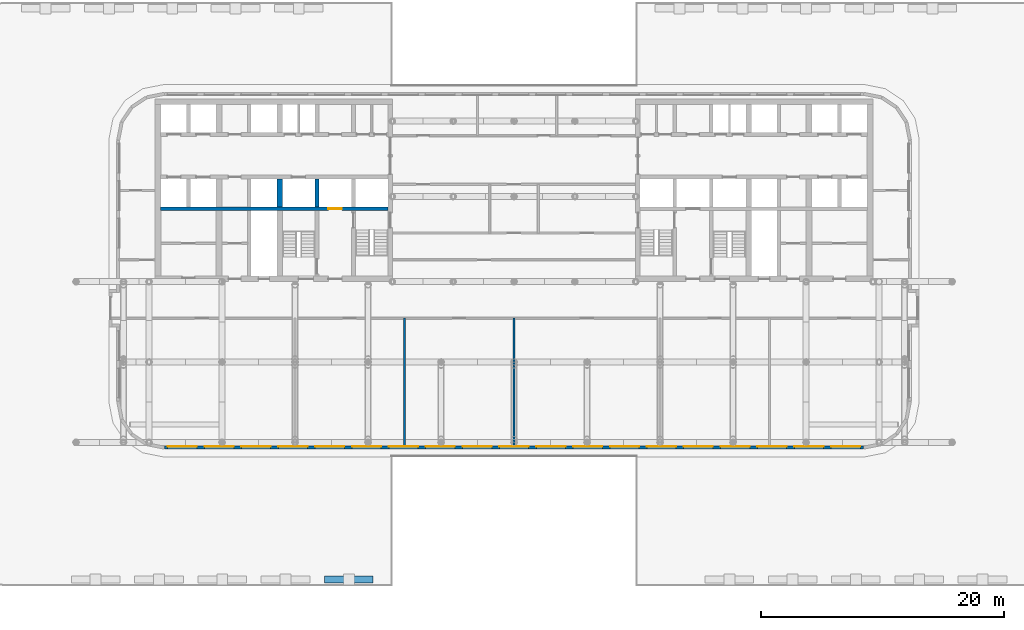
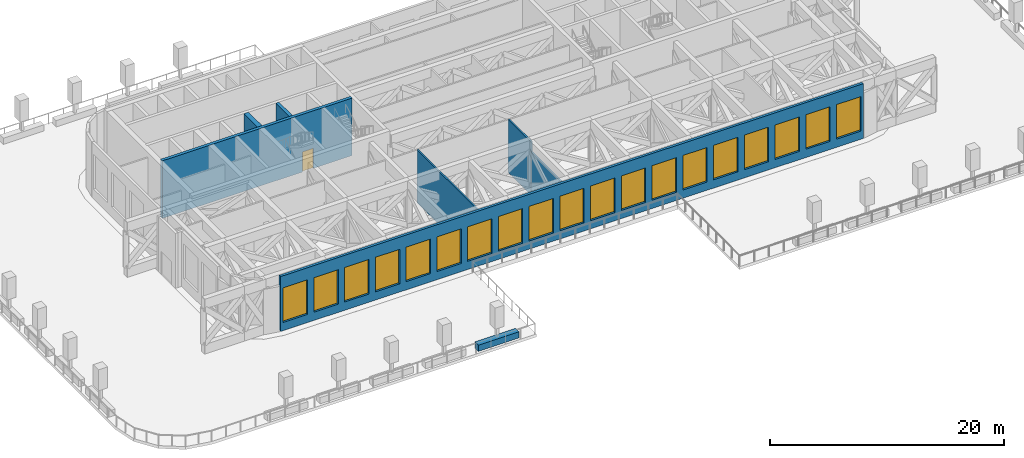
# One storey, part 10 of 20: 19 windows, 8 walls, 1 door, 20 openings.
"""IFC4 building model written with IfcOpenShell, lengths in metres."""

from ifc_helpers import new_model, si_unit, direction, frame, frame_2d, origin, place, context, subcontext, project, spatial, rectangle, extrude, material, layer, layer_set, type_object, element, fill, save


model = new_model("IFC4")

# Units and contexts
model_context = context("Model", 3, precision=1e-05, world=origin(), true_north=direction((0.0, 1.0)))
body_context = subcontext(model_context, "Body", "Model", "MODEL_VIEW")
ifc_project = project(units=[si_unit("LENGTHUNIT", "METRE"), si_unit("AREAUNIT", "SQUARE_METRE"), si_unit("VOLUMEUNIT", "CUBIC_METRE"), si_unit("PLANEANGLEUNIT", "RADIAN"), si_unit("MASSUNIT", "GRAM", prefix="KILO")], contexts=[model_context])

# Site, building, storey
site_placement = place(None, origin())
site = spatial("IfcSite", under=ifc_project, at=site_placement, CompositionType="ELEMENT")
building_placement = place(site_placement, origin())
building = spatial("IfcBuilding", under=site, at=building_placement, Name="Torana Hotel and Residences", CompositionType="ELEMENT")
storey_placement = place(building_placement, frame((0.0, 0.0, 18.0)))
storey = spatial("IfcBuildingStorey", under=building, at=storey_placement, Name="L03", CompositionType="ELEMENT", Elevation=18.0)

# Wall, opening, door
ifc_material_1 = material(Name="Concrete C80/95", Category="concrete")
ifc_layer_1 = layer(ifc_material_1, 0.300048828125)
ifc_layer_set_1 = layer_set([ifc_layer_1], Name="CORE WALL 300 C80/95")
wall_type_1 = type_object("IfcWallType", Name="CORE WALL 300 C80/95", PredefinedType="SHEAR", material=ifc_layer_set_1)
wall_1_placement = place(storey_placement, frame((-29.050048828125, -9.0, 0.0), z_axis=(0.0, 0.0, 1.0), x_axis=(1.0, 0.0, 0.0)))
wall_1 = element("IfcWall", 1, at=wall_1_placement, inside=storey, type_object=wall_type_1, Name="Core wall W band", PredefinedType="SHEAR", context=body_context, shape_type="SweptSolid", body=[
    extrude(rectangle(XDim=18.699951171875, YDim=0.300048828125, at=frame_2d((9.35009765625, 0.0))), origin(), (0.0, 0.0, 1.0), 6.0),
])
opening_1_placement = place(wall_1_placement, frame((13.800048828125, 0.0, 0.0)))
opening_1 = element("IfcOpeningElement", 2, at=opening_1_placement, cuts=wall_1, Name="Opening LD", PredefinedType="OPENING", context=body_context, shape_type="SweptSolid", body=[
    extrude(rectangle(XDim=1.10009765625, YDim=2.10009765625, at=frame_2d((0.550048828125, 1.050048828125))), frame((0.0, 0.159912109375, 0.0), z_axis=(0.0, -1.0, 0.0), x_axis=(1.0, 0.0, 0.0)), (0.0, 0.0, 1.0), 0.320068359375),
])
ifc_material_2 = material(Name="Stainless steel 316", Category="steel")
door_type = type_object("IfcDoorType", Name="LIFT LANDING DOOR LD 1100x2100", OperationType="DOUBLE_DOOR_SLIDING", PredefinedType="USERDEFINED", material=ifc_material_2)
door_placement = place(opening_1_placement, origin())
door = element("IfcDoor", 3, at=door_placement, inside=storey, type_object=door_type, Name="Lift landing door FF1 L03", ObjectType="LIFT LANDING DOOR", OperationType="DOUBLE_DOOR_SLIDING", OverallHeight=2.10009765625, OverallWidth=1.10009765625, PredefinedType="USERDEFINED", context=body_context, shape_type="SweptSolid", body=[
    extrude(rectangle(XDim=1.10009765625, YDim=2.10009765625, at=frame_2d((0.550048828125, 1.050048828125))), frame((0.0, 0.02490234375, 0.0), z_axis=(0.0, -1.0, 0.0), x_axis=(1.0, 0.0, 0.0)), (0.0, 0.0, 1.0), 0.050048828125),
])
fill(opening_1, door)

# Walls
wall_2_placement = place(storey_placement, frame((-16.199951171875, -8.85009765625, 0.0), z_axis=(0.0, 0.0, 1.0), x_axis=(0.0, 1.0, 0.0)))
element("IfcWall", 4, at=wall_2_placement, inside=storey, type_object=wall_type_1, Name="Core wall W x6.05-S", PredefinedType="SHEAR", context=body_context, shape_type="SweptSolid", body=[
    extrude(rectangle(XDim=2.300048828125, YDim=0.300048828125, at=frame_2d((1.14990234375, 0.0))), origin(), (0.0, 0.0, 1.0), 6.0),
])
ifc_material_3 = material(Name="Concrete C80/95", Category="concrete")
ifc_layer_2 = layer(ifc_material_3, 0.449951171875)
ifc_layer_set_2 = layer_set([ifc_layer_2], Name="CORE WALL 450 C80/95")
wall_type_2 = type_object("IfcWallType", Name="CORE WALL 450 C80/95", PredefinedType="SHEAR", material=ifc_layer_set_2)
wall_3_placement = place(storey_placement, frame((-19.27490234375, -8.85009765625, 0.0), z_axis=(0.0, 0.0, 1.0), x_axis=(0.0, 1.0, 0.0)))
element("IfcWall", 5, at=wall_3_placement, inside=storey, type_object=wall_type_2, Name="Core wall W hm-S", PredefinedType="SHEAR", context=body_context, shape_type="SweptSolid", body=[
    extrude(rectangle(XDim=2.300048828125, YDim=0.449951171875, at=frame_2d((1.14990234375, 0.0))), origin(), (0.0, 0.0, 1.0), 6.0),
])

# Wall, openings, windows
ifc_material_4 = material(Name="Aluminium louvre wall", Category="aluminium")
ifc_layer_3 = layer(ifc_material_4, 0.25)
ifc_layer_set_3 = layer_set([ifc_layer_3], Name="EW3 LOUVRE WALL 250")
wall_type_3 = type_object("IfcWallType", Name="EW3 LOUVRE WALL 250", PredefinedType="SOLIDWALL", material=ifc_layer_set_3)
wall_4_placement = place(storey_placement, frame((-28.712890625, -28.638916015625, 0.0), z_axis=(0.0, 0.0, 1.0), x_axis=(1.0, 0.0, 0.0)))
wall_4 = element("IfcWall", 6, at=wall_4_placement, inside=storey, type_object=wall_type_3, Name="Louvre wall L03 e0.14", PredefinedType="SOLIDWALL", context=body_context, shape_type="SweptSolid", body=[
    extrude(rectangle(XDim=57.42578125, YDim=0.25, at=frame_2d((28.712890625, 0.0))), origin(), (0.0, 0.0, 1.0), 5.719970703125),
])
opening_2_placement = place(wall_4_placement, frame((0.251953125, 0.0, 0.85791015625)))
opening_2 = element("IfcOpeningElement", 7, at=opening_2_placement, cuts=wall_4, Name="Opening LV2", PredefinedType="OPENING", context=body_context, shape_type="SweptSolid", body=[
    extrude(rectangle(XDim=2.39990234375, YDim=3.60009765625, at=frame_2d((1.199951171875, 1.800048828125))), frame((0.0, 0.135009765625, 0.0), z_axis=(0.0, -1.0, 0.0), x_axis=(1.0, 0.0, 0.0)), (0.0, 0.0, 1.0), 0.27001953125),
])
opening_3_placement = place(wall_4_placement, frame((3.281005859375, 0.0, 0.85791015625)))
opening_3 = element("IfcOpeningElement", 8, at=opening_3_placement, cuts=wall_4, Name="Opening LV2", PredefinedType="OPENING", context=body_context, shape_type="SweptSolid", body=[
    extrude(rectangle(XDim=2.39990234375, YDim=3.60009765625, at=frame_2d((1.199951171875, 1.800048828125))), frame((0.0, 0.135009765625, 0.0), z_axis=(0.0, -1.0, 0.0), x_axis=(1.0, 0.0, 0.0)), (0.0, 0.0, 1.0), 0.27001953125),
])
opening_4_placement = place(wall_4_placement, frame((6.309814453125, 0.0, 0.85791015625)))
opening_4 = element("IfcOpeningElement", 9, at=opening_4_placement, cuts=wall_4, Name="Opening LV2", PredefinedType="OPENING", context=body_context, shape_type="SweptSolid", body=[
    extrude(rectangle(XDim=2.39990234375, YDim=3.60009765625, at=frame_2d((1.199951171875, 1.800048828125))), frame((0.0, 0.135009765625, 0.0), z_axis=(0.0, -1.0, 0.0), x_axis=(1.0, 0.0, 0.0)), (0.0, 0.0, 1.0), 0.27001953125),
])
opening_5_placement = place(wall_4_placement, frame((9.3388671875, 0.0, 0.85791015625)))
opening_5 = element("IfcOpeningElement", 10, at=opening_5_placement, cuts=wall_4, Name="Opening LV2", PredefinedType="OPENING", context=body_context, shape_type="SweptSolid", body=[
    extrude(rectangle(XDim=2.39990234375, YDim=3.60009765625, at=frame_2d((1.199951171875, 1.800048828125))), frame((0.0, 0.135009765625, 0.0), z_axis=(0.0, -1.0, 0.0), x_axis=(1.0, 0.0, 0.0)), (0.0, 0.0, 1.0), 0.27001953125),
])
opening_6_placement = place(wall_4_placement, frame((12.367919921875, 0.0, 0.85791015625)))
opening_6 = element("IfcOpeningElement", 11, at=opening_6_placement, cuts=wall_4, Name="Opening LV2", PredefinedType="OPENING", context=body_context, shape_type="SweptSolid", body=[
    extrude(rectangle(XDim=2.39990234375, YDim=3.60009765625, at=frame_2d((1.199951171875, 1.800048828125))), frame((0.0, 0.135009765625, 0.0), z_axis=(0.0, -1.0, 0.0), x_axis=(1.0, 0.0, 0.0)), (0.0, 0.0, 1.0), 0.27001953125),
])
opening_7_placement = place(wall_4_placement, frame((15.396728515625, 0.0, 0.85791015625)))
opening_7 = element("IfcOpeningElement", 12, at=opening_7_placement, cuts=wall_4, Name="Opening LV2", PredefinedType="OPENING", context=body_context, shape_type="SweptSolid", body=[
    extrude(rectangle(XDim=2.39990234375, YDim=3.60009765625, at=frame_2d((1.199951171875, 1.800048828125))), frame((0.0, 0.135009765625, 0.0), z_axis=(0.0, -1.0, 0.0), x_axis=(1.0, 0.0, 0.0)), (0.0, 0.0, 1.0), 0.27001953125),
])
opening_8_placement = place(wall_4_placement, frame((18.42578125, 0.0, 0.85791015625)))
opening_8 = element("IfcOpeningElement", 13, at=opening_8_placement, cuts=wall_4, Name="Opening LV2", PredefinedType="OPENING", context=body_context, shape_type="SweptSolid", body=[
    extrude(rectangle(XDim=2.39990234375, YDim=3.60009765625, at=frame_2d((1.199951171875, 1.800048828125))), frame((0.0, 0.135009765625, 0.0), z_axis=(0.0, -1.0, 0.0), x_axis=(1.0, 0.0, 0.0)), (0.0, 0.0, 1.0), 0.27001953125),
])
opening_9_placement = place(wall_4_placement, frame((21.454833984375, 0.0, 0.85791015625)))
opening_9 = element("IfcOpeningElement", 14, at=opening_9_placement, cuts=wall_4, Name="Opening LV2", PredefinedType="OPENING", context=body_context, shape_type="SweptSolid", body=[
    extrude(rectangle(XDim=2.39990234375, YDim=3.60009765625, at=frame_2d((1.199951171875, 1.800048828125))), frame((0.0, 0.135009765625, 0.0), z_axis=(0.0, -1.0, 0.0), x_axis=(1.0, 0.0, 0.0)), (0.0, 0.0, 1.0), 0.27001953125),
])
opening_10_placement = place(wall_4_placement, frame((24.48388671875, 0.0, 0.85791015625)))
opening_10 = element("IfcOpeningElement", 15, at=opening_10_placement, cuts=wall_4, Name="Opening LV2", PredefinedType="OPENING", context=body_context, shape_type="SweptSolid", body=[
    extrude(rectangle(XDim=2.39990234375, YDim=3.60009765625, at=frame_2d((1.199951171875, 1.800048828125))), frame((0.0, 0.135009765625, 0.0), z_axis=(0.0, -1.0, 0.0), x_axis=(1.0, 0.0, 0.0)), (0.0, 0.0, 1.0), 0.27001953125),
])
opening_11_placement = place(wall_4_placement, frame((27.5126953125, 0.0, 0.85791015625)))
opening_11 = element("IfcOpeningElement", 16, at=opening_11_placement, cuts=wall_4, Name="Opening LV2", PredefinedType="OPENING", context=body_context, shape_type="SweptSolid", body=[
    extrude(rectangle(XDim=2.39990234375, YDim=3.60009765625, at=frame_2d((1.199951171875, 1.800048828125))), frame((0.0, 0.135009765625, 0.0), z_axis=(0.0, -1.0, 0.0), x_axis=(1.0, 0.0, 0.0)), (0.0, 0.0, 1.0), 0.27001953125),
])
opening_12_placement = place(wall_4_placement, frame((30.541748046875, 0.0, 0.85791015625)))
opening_12 = element("IfcOpeningElement", 17, at=opening_12_placement, cuts=wall_4, Name="Opening LV2", PredefinedType="OPENING", context=body_context, shape_type="SweptSolid", body=[
    extrude(rectangle(XDim=2.39990234375, YDim=3.60009765625, at=frame_2d((1.199951171875, 1.800048828125))), frame((0.0, 0.135009765625, 0.0), z_axis=(0.0, -1.0, 0.0), x_axis=(1.0, 0.0, 0.0)), (0.0, 0.0, 1.0), 0.27001953125),
])
opening_13_placement = place(wall_4_placement, frame((33.57080078125, 0.0, 0.85791015625)))
opening_13 = element("IfcOpeningElement", 18, at=opening_13_placement, cuts=wall_4, Name="Opening LV2", PredefinedType="OPENING", context=body_context, shape_type="SweptSolid", body=[
    extrude(rectangle(XDim=2.39990234375, YDim=3.60009765625, at=frame_2d((1.199951171875, 1.800048828125))), frame((0.0, 0.135009765625, 0.0), z_axis=(0.0, -1.0, 0.0), x_axis=(1.0, 0.0, 0.0)), (0.0, 0.0, 1.0), 0.27001953125),
])
opening_14_placement = place(wall_4_placement, frame((36.599609375, 0.0, 0.85791015625)))
opening_14 = element("IfcOpeningElement", 19, at=opening_14_placement, cuts=wall_4, Name="Opening LV2", PredefinedType="OPENING", context=body_context, shape_type="SweptSolid", body=[
    extrude(rectangle(XDim=2.39990234375, YDim=3.60009765625, at=frame_2d((1.199951171875, 1.800048828125))), frame((0.0, 0.135009765625, 0.0), z_axis=(0.0, -1.0, 0.0), x_axis=(1.0, 0.0, 0.0)), (0.0, 0.0, 1.0), 0.27001953125),
])
opening_15_placement = place(wall_4_placement, frame((39.628662109375, 0.0, 0.85791015625)))
opening_15 = element("IfcOpeningElement", 20, at=opening_15_placement, cuts=wall_4, Name="Opening LV2", PredefinedType="OPENING", context=body_context, shape_type="SweptSolid", body=[
    extrude(rectangle(XDim=2.39990234375, YDim=3.60009765625, at=frame_2d((1.199951171875, 1.800048828125))), frame((0.0, 0.135009765625, 0.0), z_axis=(0.0, -1.0, 0.0), x_axis=(1.0, 0.0, 0.0)), (0.0, 0.0, 1.0), 0.27001953125),
])
opening_16_placement = place(wall_4_placement, frame((42.65771484375, 0.0, 0.85791015625)))
opening_16 = element("IfcOpeningElement", 21, at=opening_16_placement, cuts=wall_4, Name="Opening LV2", PredefinedType="OPENING", context=body_context, shape_type="SweptSolid", body=[
    extrude(rectangle(XDim=2.39990234375, YDim=3.60009765625, at=frame_2d((1.199951171875, 1.800048828125))), frame((0.0, 0.135009765625, 0.0), z_axis=(0.0, -1.0, 0.0), x_axis=(1.0, 0.0, 0.0)), (0.0, 0.0, 1.0), 0.27001953125),
])
opening_17_placement = place(wall_4_placement, frame((45.686767578125, 0.0, 0.85791015625)))
opening_17 = element("IfcOpeningElement", 22, at=opening_17_placement, cuts=wall_4, Name="Opening LV2", PredefinedType="OPENING", context=body_context, shape_type="SweptSolid", body=[
    extrude(rectangle(XDim=2.39990234375, YDim=3.60009765625, at=frame_2d((1.199951171875, 1.800048828125))), frame((0.0, 0.135009765625, 0.0), z_axis=(0.0, -1.0, 0.0), x_axis=(1.0, 0.0, 0.0)), (0.0, 0.0, 1.0), 0.27001953125),
])
opening_18_placement = place(wall_4_placement, frame((48.7158203125, 0.0, 0.85791015625)))
opening_18 = element("IfcOpeningElement", 23, at=opening_18_placement, cuts=wall_4, Name="Opening LV2", PredefinedType="OPENING", context=body_context, shape_type="SweptSolid", body=[
    extrude(rectangle(XDim=2.39990234375, YDim=3.60009765625, at=frame_2d((1.199951171875, 1.800048828125))), frame((0.0, 0.135009765625, 0.0), z_axis=(0.0, -1.0, 0.0), x_axis=(1.0, 0.0, 0.0)), (0.0, 0.0, 1.0), 0.27001953125),
])
opening_19_placement = place(wall_4_placement, frame((51.74462890625, 0.0, 0.85791015625)))
opening_19 = element("IfcOpeningElement", 24, at=opening_19_placement, cuts=wall_4, Name="Opening LV2", PredefinedType="OPENING", context=body_context, shape_type="SweptSolid", body=[
    extrude(rectangle(XDim=2.39990234375, YDim=3.60009765625, at=frame_2d((1.199951171875, 1.800048828125))), frame((0.0, 0.135009765625, 0.0), z_axis=(0.0, -1.0, 0.0), x_axis=(1.0, 0.0, 0.0)), (0.0, 0.0, 1.0), 0.27001953125),
])
opening_20_placement = place(wall_4_placement, frame((54.773681640625, 0.0, 0.85791015625)))
opening_20 = element("IfcOpeningElement", 25, at=opening_20_placement, cuts=wall_4, Name="Opening LV2", PredefinedType="OPENING", context=body_context, shape_type="SweptSolid", body=[
    extrude(rectangle(XDim=2.39990234375, YDim=3.60009765625, at=frame_2d((1.199951171875, 1.800048828125))), frame((0.0, 0.135009765625, 0.0), z_axis=(0.0, -1.0, 0.0), x_axis=(1.0, 0.0, 0.0)), (0.0, 0.0, 1.0), 0.27001953125),
])
ifc_material_5 = material(Name="Aluminium louvre blades", Category="aluminium")
window_type = type_object("IfcWindowType", Name="LV2 LOUVRE 2400x3600", PartitioningType="SINGLE_PANEL", PredefinedType="USERDEFINED", material=ifc_material_5)
window_1_placement = place(opening_2_placement, origin())
window_1 = element("IfcWindow", 26, at=window_1_placement, inside=storey, type_object=window_type, Name="Louvre L03", ObjectType="LOUVRE", OverallHeight=3.60009765625, OverallWidth=2.39990234375, PartitioningType="SINGLE_PANEL", PredefinedType="USERDEFINED", context=body_context, shape_type="SweptSolid", body=[
    extrude(rectangle(XDim=2.39990234375, YDim=3.60009765625, at=frame_2d((1.199951171875, 1.800048828125))), frame((0.0, 0.125, 0.0), z_axis=(0.0, -1.0, 0.0), x_axis=(1.0, 0.0, 0.0)), (0.0, 0.0, 1.0), 0.06005859375),
])
fill(opening_2, window_1)
window_2_placement = place(opening_3_placement, origin())
window_2 = element("IfcWindow", 27, at=window_2_placement, inside=storey, type_object=window_type, Name="Louvre L03", ObjectType="LOUVRE", OverallHeight=3.60009765625, OverallWidth=2.39990234375, PartitioningType="SINGLE_PANEL", PredefinedType="USERDEFINED", context=body_context, shape_type="SweptSolid", body=[
    extrude(rectangle(XDim=2.39990234375, YDim=3.60009765625, at=frame_2d((1.199951171875, 1.800048828125))), frame((0.0, 0.125, 0.0), z_axis=(0.0, -1.0, 0.0), x_axis=(1.0, 0.0, 0.0)), (0.0, 0.0, 1.0), 0.06005859375),
])
fill(opening_3, window_2)
window_3_placement = place(opening_4_placement, origin())
window_3 = element("IfcWindow", 28, at=window_3_placement, inside=storey, type_object=window_type, Name="Louvre L03", ObjectType="LOUVRE", OverallHeight=3.60009765625, OverallWidth=2.39990234375, PartitioningType="SINGLE_PANEL", PredefinedType="USERDEFINED", context=body_context, shape_type="SweptSolid", body=[
    extrude(rectangle(XDim=2.39990234375, YDim=3.60009765625, at=frame_2d((1.199951171875, 1.800048828125))), frame((0.0, 0.125, 0.0), z_axis=(0.0, -1.0, 0.0), x_axis=(1.0, 0.0, 0.0)), (0.0, 0.0, 1.0), 0.06005859375),
])
fill(opening_4, window_3)
window_4_placement = place(opening_5_placement, origin())
window_4 = element("IfcWindow", 29, at=window_4_placement, inside=storey, type_object=window_type, Name="Louvre L03", ObjectType="LOUVRE", OverallHeight=3.60009765625, OverallWidth=2.39990234375, PartitioningType="SINGLE_PANEL", PredefinedType="USERDEFINED", context=body_context, shape_type="SweptSolid", body=[
    extrude(rectangle(XDim=2.39990234375, YDim=3.60009765625, at=frame_2d((1.199951171875, 1.800048828125))), frame((0.0, 0.125, 0.0), z_axis=(0.0, -1.0, 0.0), x_axis=(1.0, 0.0, 0.0)), (0.0, 0.0, 1.0), 0.06005859375),
])
fill(opening_5, window_4)
window_5_placement = place(opening_6_placement, origin())
window_5 = element("IfcWindow", 30, at=window_5_placement, inside=storey, type_object=window_type, Name="Louvre L03", ObjectType="LOUVRE", OverallHeight=3.60009765625, OverallWidth=2.39990234375, PartitioningType="SINGLE_PANEL", PredefinedType="USERDEFINED", context=body_context, shape_type="SweptSolid", body=[
    extrude(rectangle(XDim=2.39990234375, YDim=3.60009765625, at=frame_2d((1.199951171875, 1.800048828125))), frame((0.0, 0.125, 0.0), z_axis=(0.0, -1.0, 0.0), x_axis=(1.0, 0.0, 0.0)), (0.0, 0.0, 1.0), 0.06005859375),
])
fill(opening_6, window_5)
window_6_placement = place(opening_7_placement, origin())
window_6 = element("IfcWindow", 31, at=window_6_placement, inside=storey, type_object=window_type, Name="Louvre L03", ObjectType="LOUVRE", OverallHeight=3.60009765625, OverallWidth=2.39990234375, PartitioningType="SINGLE_PANEL", PredefinedType="USERDEFINED", context=body_context, shape_type="SweptSolid", body=[
    extrude(rectangle(XDim=2.39990234375, YDim=3.60009765625, at=frame_2d((1.199951171875, 1.800048828125))), frame((0.0, 0.125, 0.0), z_axis=(0.0, -1.0, 0.0), x_axis=(1.0, 0.0, 0.0)), (0.0, 0.0, 1.0), 0.06005859375),
])
fill(opening_7, window_6)
window_7_placement = place(opening_8_placement, origin())
window_7 = element("IfcWindow", 32, at=window_7_placement, inside=storey, type_object=window_type, Name="Louvre L03", ObjectType="LOUVRE", OverallHeight=3.60009765625, OverallWidth=2.39990234375, PartitioningType="SINGLE_PANEL", PredefinedType="USERDEFINED", context=body_context, shape_type="SweptSolid", body=[
    extrude(rectangle(XDim=2.39990234375, YDim=3.60009765625, at=frame_2d((1.199951171875, 1.800048828125))), frame((0.0, 0.125, 0.0), z_axis=(0.0, -1.0, 0.0), x_axis=(1.0, 0.0, 0.0)), (0.0, 0.0, 1.0), 0.06005859375),
])
fill(opening_8, window_7)
window_8_placement = place(opening_9_placement, origin())
window_8 = element("IfcWindow", 33, at=window_8_placement, inside=storey, type_object=window_type, Name="Louvre L03", ObjectType="LOUVRE", OverallHeight=3.60009765625, OverallWidth=2.39990234375, PartitioningType="SINGLE_PANEL", PredefinedType="USERDEFINED", context=body_context, shape_type="SweptSolid", body=[
    extrude(rectangle(XDim=2.39990234375, YDim=3.60009765625, at=frame_2d((1.199951171875, 1.800048828125))), frame((0.0, 0.125, 0.0), z_axis=(0.0, -1.0, 0.0), x_axis=(1.0, 0.0, 0.0)), (0.0, 0.0, 1.0), 0.06005859375),
])
fill(opening_9, window_8)
window_9_placement = place(opening_10_placement, origin())
window_9 = element("IfcWindow", 34, at=window_9_placement, inside=storey, type_object=window_type, Name="Louvre L03", ObjectType="LOUVRE", OverallHeight=3.60009765625, OverallWidth=2.39990234375, PartitioningType="SINGLE_PANEL", PredefinedType="USERDEFINED", context=body_context, shape_type="SweptSolid", body=[
    extrude(rectangle(XDim=2.39990234375, YDim=3.60009765625, at=frame_2d((1.199951171875, 1.800048828125))), frame((0.0, 0.125, 0.0), z_axis=(0.0, -1.0, 0.0), x_axis=(1.0, 0.0, 0.0)), (0.0, 0.0, 1.0), 0.06005859375),
])
fill(opening_10, window_9)
window_10_placement = place(opening_11_placement, origin())
window_10 = element("IfcWindow", 35, at=window_10_placement, inside=storey, type_object=window_type, Name="Louvre L03", ObjectType="LOUVRE", OverallHeight=3.60009765625, OverallWidth=2.39990234375, PartitioningType="SINGLE_PANEL", PredefinedType="USERDEFINED", context=body_context, shape_type="SweptSolid", body=[
    extrude(rectangle(XDim=2.39990234375, YDim=3.60009765625, at=frame_2d((1.199951171875, 1.800048828125))), frame((0.0, 0.125, 0.0), z_axis=(0.0, -1.0, 0.0), x_axis=(1.0, 0.0, 0.0)), (0.0, 0.0, 1.0), 0.06005859375),
])
fill(opening_11, window_10)
window_11_placement = place(opening_12_placement, origin())
window_11 = element("IfcWindow", 36, at=window_11_placement, inside=storey, type_object=window_type, Name="Louvre L03", ObjectType="LOUVRE", OverallHeight=3.60009765625, OverallWidth=2.39990234375, PartitioningType="SINGLE_PANEL", PredefinedType="USERDEFINED", context=body_context, shape_type="SweptSolid", body=[
    extrude(rectangle(XDim=2.39990234375, YDim=3.60009765625, at=frame_2d((1.199951171875, 1.800048828125))), frame((0.0, 0.125, 0.0), z_axis=(0.0, -1.0, 0.0), x_axis=(1.0, 0.0, 0.0)), (0.0, 0.0, 1.0), 0.06005859375),
])
fill(opening_12, window_11)
window_12_placement = place(opening_13_placement, origin())
window_12 = element("IfcWindow", 37, at=window_12_placement, inside=storey, type_object=window_type, Name="Louvre L03", ObjectType="LOUVRE", OverallHeight=3.60009765625, OverallWidth=2.39990234375, PartitioningType="SINGLE_PANEL", PredefinedType="USERDEFINED", context=body_context, shape_type="SweptSolid", body=[
    extrude(rectangle(XDim=2.39990234375, YDim=3.60009765625, at=frame_2d((1.199951171875, 1.800048828125))), frame((0.0, 0.125, 0.0), z_axis=(0.0, -1.0, 0.0), x_axis=(1.0, 0.0, 0.0)), (0.0, 0.0, 1.0), 0.06005859375),
])
fill(opening_13, window_12)
window_13_placement = place(opening_14_placement, origin())
window_13 = element("IfcWindow", 38, at=window_13_placement, inside=storey, type_object=window_type, Name="Louvre L03", ObjectType="LOUVRE", OverallHeight=3.60009765625, OverallWidth=2.39990234375, PartitioningType="SINGLE_PANEL", PredefinedType="USERDEFINED", context=body_context, shape_type="SweptSolid", body=[
    extrude(rectangle(XDim=2.39990234375, YDim=3.60009765625, at=frame_2d((1.199951171875, 1.800048828125))), frame((0.0, 0.125, 0.0), z_axis=(0.0, -1.0, 0.0), x_axis=(1.0, 0.0, 0.0)), (0.0, 0.0, 1.0), 0.06005859375),
])
fill(opening_14, window_13)
window_14_placement = place(opening_15_placement, origin())
window_14 = element("IfcWindow", 39, at=window_14_placement, inside=storey, type_object=window_type, Name="Louvre L03", ObjectType="LOUVRE", OverallHeight=3.60009765625, OverallWidth=2.39990234375, PartitioningType="SINGLE_PANEL", PredefinedType="USERDEFINED", context=body_context, shape_type="SweptSolid", body=[
    extrude(rectangle(XDim=2.39990234375, YDim=3.60009765625, at=frame_2d((1.199951171875, 1.800048828125))), frame((0.0, 0.125, 0.0), z_axis=(0.0, -1.0, 0.0), x_axis=(1.0, 0.0, 0.0)), (0.0, 0.0, 1.0), 0.06005859375),
])
fill(opening_15, window_14)
window_15_placement = place(opening_16_placement, origin())
window_15 = element("IfcWindow", 40, at=window_15_placement, inside=storey, type_object=window_type, Name="Louvre L03", ObjectType="LOUVRE", OverallHeight=3.60009765625, OverallWidth=2.39990234375, PartitioningType="SINGLE_PANEL", PredefinedType="USERDEFINED", context=body_context, shape_type="SweptSolid", body=[
    extrude(rectangle(XDim=2.39990234375, YDim=3.60009765625, at=frame_2d((1.199951171875, 1.800048828125))), frame((0.0, 0.125, 0.0), z_axis=(0.0, -1.0, 0.0), x_axis=(1.0, 0.0, 0.0)), (0.0, 0.0, 1.0), 0.06005859375),
])
fill(opening_16, window_15)
window_16_placement = place(opening_17_placement, origin())
window_16 = element("IfcWindow", 41, at=window_16_placement, inside=storey, type_object=window_type, Name="Louvre L03", ObjectType="LOUVRE", OverallHeight=3.60009765625, OverallWidth=2.39990234375, PartitioningType="SINGLE_PANEL", PredefinedType="USERDEFINED", context=body_context, shape_type="SweptSolid", body=[
    extrude(rectangle(XDim=2.39990234375, YDim=3.60009765625, at=frame_2d((1.199951171875, 1.800048828125))), frame((0.0, 0.125, 0.0), z_axis=(0.0, -1.0, 0.0), x_axis=(1.0, 0.0, 0.0)), (0.0, 0.0, 1.0), 0.06005859375),
])
fill(opening_17, window_16)
window_17_placement = place(opening_18_placement, origin())
window_17 = element("IfcWindow", 42, at=window_17_placement, inside=storey, type_object=window_type, Name="Louvre L03", ObjectType="LOUVRE", OverallHeight=3.60009765625, OverallWidth=2.39990234375, PartitioningType="SINGLE_PANEL", PredefinedType="USERDEFINED", context=body_context, shape_type="SweptSolid", body=[
    extrude(rectangle(XDim=2.39990234375, YDim=3.60009765625, at=frame_2d((1.199951171875, 1.800048828125))), frame((0.0, 0.125, 0.0), z_axis=(0.0, -1.0, 0.0), x_axis=(1.0, 0.0, 0.0)), (0.0, 0.0, 1.0), 0.06005859375),
])
fill(opening_18, window_17)
window_18_placement = place(opening_19_placement, origin())
window_18 = element("IfcWindow", 43, at=window_18_placement, inside=storey, type_object=window_type, Name="Louvre L03", ObjectType="LOUVRE", OverallHeight=3.60009765625, OverallWidth=2.39990234375, PartitioningType="SINGLE_PANEL", PredefinedType="USERDEFINED", context=body_context, shape_type="SweptSolid", body=[
    extrude(rectangle(XDim=2.39990234375, YDim=3.60009765625, at=frame_2d((1.199951171875, 1.800048828125))), frame((0.0, 0.125, 0.0), z_axis=(0.0, -1.0, 0.0), x_axis=(1.0, 0.0, 0.0)), (0.0, 0.0, 1.0), 0.06005859375),
])
fill(opening_19, window_18)
window_19_placement = place(opening_20_placement, origin())
window_19 = element("IfcWindow", 44, at=window_19_placement, inside=storey, type_object=window_type, Name="Louvre L03", ObjectType="LOUVRE", OverallHeight=3.60009765625, OverallWidth=2.39990234375, PartitioningType="SINGLE_PANEL", PredefinedType="USERDEFINED", context=body_context, shape_type="SweptSolid", body=[
    extrude(rectangle(XDim=2.39990234375, YDim=3.60009765625, at=frame_2d((1.199951171875, 1.800048828125))), frame((0.0, 0.125, 0.0), z_axis=(0.0, -1.0, 0.0), x_axis=(1.0, 0.0, 0.0)), (0.0, 0.0, 1.0), 0.06005859375),
])
fill(opening_20, window_19)

# Walls
ifc_material_6 = material(Name="Gypsum plasterboard")
ifc_layer_4 = layer(ifc_material_6, 0.012451171875, Name="Plasterboard", Category="finish")
ifc_layer_5 = layer(ifc_material_6, 0.012451171875, Name="Plasterboard", Category="finish")
ifc_material_7 = material(Name="Steel S280GD", Category="steel")
ifc_layer_6 = layer(ifc_material_7, 0.10009765625, Name="Steel studs with mineral wool", Category="insulation")
ifc_layer_7 = layer(ifc_material_6, 0.012451171875, Name="Plasterboard", Category="finish")
ifc_layer_8 = layer(ifc_material_6, 0.012451171875, Name="Plasterboard", Category="finish")
ifc_layer_set_4 = layer_set([ifc_layer_4, ifc_layer_5, ifc_layer_6, ifc_layer_7, ifc_layer_8], Name="PARTITION 150 PLASTERBOARD")
wall_type_4 = type_object("IfcWallType", Name="PARTITION 150 PLASTERBOARD", PredefinedType="PARTITIONING", material=ifc_layer_set_4)
wall_5_placement = place(storey_placement, frame((0.0, -28.512451171875, 0.0), z_axis=(0.0, 0.0, 1.0), x_axis=(0.0, 1.0, 0.0)))
element("IfcWall", 45, at=wall_5_placement, inside=storey, type_object=wall_type_4, Name="Partition L03", PredefinedType="PARTITIONING", context=body_context, shape_type="SweptSolid", body=[
    extrude(rectangle(XDim=6.662353515625, YDim=0.14990234375, at=frame_2d((3.3310546875, 0.0))), origin(), (0.0, 0.0, 1.0), 4.52001953125),
])
wall_6_placement = place(storey_placement, frame((-9.0, -28.512451171875, 0.0), z_axis=(0.0, 0.0, 1.0), x_axis=(0.0, 1.0, 0.0)))
element("IfcWall", 46, at=wall_6_placement, inside=storey, type_object=wall_type_4, Name="Partition L03", PredefinedType="PARTITIONING", context=body_context, shape_type="SweptSolid", body=[
    extrude(rectangle(XDim=10.512451171875, YDim=0.14990234375, at=frame_2d((5.25634765625, 0.0))), origin(), (0.0, 0.0, 1.0), 5.550048828125),
])
wall_7_placement = place(storey_placement, frame((0.0, -21.85009765625, 0.0), z_axis=(0.0, 0.0, 1.0), x_axis=(0.0, 1.0, 0.0)))
element("IfcWall", 47, at=wall_7_placement, inside=storey, type_object=wall_type_4, Name="Partition L03", PredefinedType="PARTITIONING", context=body_context, shape_type="SweptSolid", body=[
    extrude(rectangle(XDim=3.85009765625, YDim=0.14990234375, at=frame_2d((1.925048828125, 0.0))), origin(), (0.0, 0.0, 1.0), 5.550048828125),
])
ifc_material_8 = material(Name="Concrete C40/50 precast", Category="concrete")
ifc_layer_9 = layer(ifc_material_8, 0.10009765625, Name="Planter shell", Category="structure")
ifc_material_9 = material(Name="Root resistant membrane")
ifc_layer_10 = layer(ifc_material_9, 0.00390625, Name="Waterproofing membrane", Category="membrane")
ifc_material_10 = material(Name="Drainage board with filter fleece")
ifc_layer_11 = layer(ifc_material_10, 0.02001953125, Name="Drainage board", Category="drainage")
ifc_material_11 = material(Name="Growing medium")
ifc_layer_12 = layer(ifc_material_11, 0.47607421875, Name="Planting substrate", Category="soil")
ifc_layer_set_5 = layer_set([ifc_layer_9, ifc_layer_10, ifc_layer_11, ifc_layer_12], Name="PL1 BALCONY PLANTER 600")
wall_type_5 = type_object("IfcWallType", Name="PL1 BALCONY PLANTER 600", PredefinedType="USERDEFINED", material=ifc_layer_set_5)
wall_8_placement = place(storey_placement, frame((-11.580078125, -39.469970703125, 0.0), z_axis=(0.0, 0.0, 1.0), x_axis=(-1.0, 0.0, 0.0)))
element("IfcWall", 48, at=wall_8_placement, inside=storey, type_object=wall_type_5, Name="Planter L03 1.1", ObjectType="PLANTER", PredefinedType="USERDEFINED", context=body_context, shape_type="SweptSolid", body=[
    extrude(rectangle(XDim=4.0, YDim=0.60009765625, at=frame_2d((2.0, 0.0))), origin(), (0.0, 0.0, 1.0), 0.64990234375),
])

save(model, "model.ifc")
